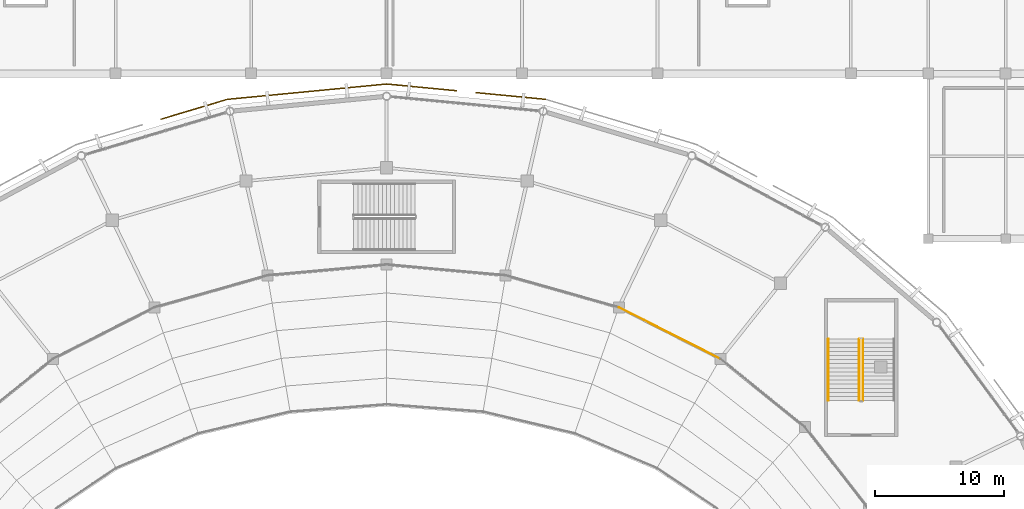
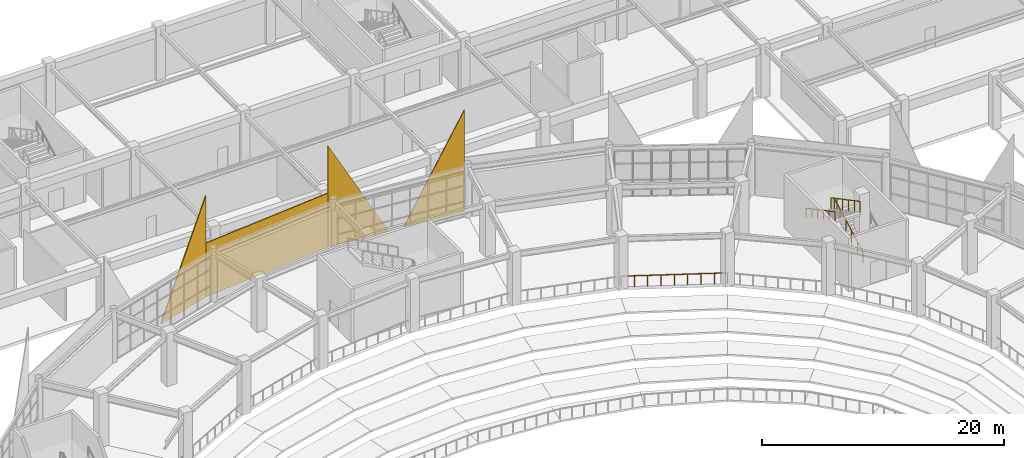
# One storey, part 110 of 120: 4 coverings, 4 railings.
"""IFC4 building model written with IfcOpenShell, lengths in metres."""

from ifc_helpers import new_model, si_unit, direction, frame, frame_2d, origin, origin_2d, place, context, subcontext, project, spatial, polyline, rectangle, circle, outline, extrude, material, layer, layer_set, type_object, element, save


model = new_model("IFC4")

# Units and contexts
model_context = context("Model", 3, precision=1e-05, world=origin(), true_north=direction((0.0, 1.0)))
body_context = subcontext(model_context, "Body", "Model", "MODEL_VIEW")
ifc_project = project(units=[si_unit("LENGTHUNIT", "METRE"), si_unit("AREAUNIT", "SQUARE_METRE"), si_unit("VOLUMEUNIT", "CUBIC_METRE"), si_unit("PLANEANGLEUNIT", "RADIAN"), si_unit("MASSUNIT", "GRAM", prefix="KILO")], contexts=[model_context])

# Site, building, storey
site_placement = place(None, origin())
site = spatial("IfcSite", under=ifc_project, at=site_placement, CompositionType="ELEMENT")
building_placement = place(site_placement, origin())
building = spatial("IfcBuilding", under=site, at=building_placement, Name="Cuetzalor Civic Arena", CompositionType="ELEMENT")
storey_placement = place(building_placement, frame((0.0, 0.0, 6.0)))
storey = spatial("IfcBuildingStorey", under=building, at=storey_placement, Name="L01", CompositionType="ELEMENT", Elevation=6.0)

# Railings
ifc_material_1 = material(Name="Reseda-green Steel S355 and laminated glass guard", Category="steel")
railing_type_1 = type_object("IfcRailingType", Name="BowlSightlineGuard_1100", PredefinedType="BALUSTRADE", material=ifc_material_1)
railing_1_placement = place(storey_placement, frame((25.874755859375, 26.19140625, 0.0)))
element("IfcRailing", 1, at=railing_1_placement, inside=storey, type_object=railing_type_1, Name="Lower Bowl Concourse Rim Balustrade S05", PredefinedType="BALUSTRADE", context=body_context, shape_type="SweptSolid", body=[
    extrude(circle(Radius=0.02392578125, at=origin_2d()), frame((0.0, 0.0, 1.076171875), z_axis=(-0.891833390372, 0.452364016935, 0.0), x_axis=(-0.452364016935, -0.891833390372, 0.0)), (0.0, 0.0, 1.0), 8.822998046875),
    extrude(circle(Radius=0.02099609375, at=origin_2d()), origin(), (0.0, 0.0, 1.0), 1.052001953125),
    extrude(circle(Radius=0.02099609375, at=origin_2d()), frame((-0.983642578125, 0.4990234375, 0.0)), (0.0, 0.0, 1.0), 1.052001953125),
    extrude(circle(Radius=0.02099609375, at=origin_2d()), frame((-1.96728515625, 0.997802734375, 0.0)), (0.0, 0.0, 1.0), 1.052001953125),
    extrude(circle(Radius=0.02099609375, at=origin_2d()), frame((-2.95068359375, 1.49658203125, 0.0)), (0.0, 0.0, 1.0), 1.052001953125),
    extrude(circle(Radius=0.02099609375, at=origin_2d()), frame((-3.934326171875, 1.99560546875, 0.0)), (0.0, 0.0, 1.0), 1.052001953125),
    extrude(circle(Radius=0.02099609375, at=origin_2d()), frame((-4.91796875, 2.49462890625, 0.0)), (0.0, 0.0, 1.0), 1.052001953125),
    extrude(circle(Radius=0.02099609375, at=origin_2d()), frame((-5.9013671875, 2.993408203125, 0.0)), (0.0, 0.0, 1.0), 1.052001953125),
    extrude(circle(Radius=0.02099609375, at=origin_2d()), frame((-6.885009765625, 3.4921875, 0.0)), (0.0, 0.0, 1.0), 1.052001953125),
    extrude(circle(Radius=0.02099609375, at=origin_2d()), frame((-7.86865234375, 3.9912109375, 0.0)), (0.0, 0.0, 1.0), 1.052001953125),
])
ifc_material_2 = material(Name="Reseda-green architectural Steel S355 balustrade", Category="steel")
railing_type_2 = type_object("IfcRailingType", Name="InteriorVoidBalustrade_1100", PredefinedType="BALUSTRADE", material=ifc_material_2)
railing_2_placement = place(storey_placement, frame((36.949951171875, 22.949951171875, 0.168701171875)))
element("IfcRailing", 2, at=railing_2_placement, inside=storey, type_object=railing_type_2, Name="L01 ST-02 stair guard 1", PredefinedType="BALUSTRADE", context=body_context, shape_type="SweptSolid", body=[
    extrude(circle(Radius=0.02392578125, at=origin_2d()), frame((0.0, 0.0, 1.0810546875), z_axis=(0.0, 0.883332211103, 0.468747485143), x_axis=(-1.0, 0.0, 0.0)), (0.0, 0.0, 1.0), 5.400146484375),
    extrude(circle(Radius=0.02099609375, at=origin_2d()), origin(), (0.0, 0.0, 1.0), 1.056884765625),
    extrude(circle(Radius=0.02099609375, at=origin_2d()), frame((0.0, 0.9541015625, 0.50634765625)), (0.0, 0.0, 1.0), 1.056884765625),
    extrude(circle(Radius=0.02099609375, at=origin_2d()), frame((0.0, 1.907958984375, 1.012451171875)), (0.0, 0.0, 1.0), 1.056884765625),
    extrude(circle(Radius=0.02099609375, at=origin_2d()), frame((0.0, 2.862060546875, 1.518798828125)), (0.0, 0.0, 1.0), 1.056884765625),
    extrude(circle(Radius=0.02099609375, at=origin_2d()), frame((0.0, 3.81591796875, 2.02490234375)), (0.0, 0.0, 1.0), 1.056884765625),
    extrude(circle(Radius=0.02099609375, at=origin_2d()), frame((0.0, 4.77001953125, 2.53125)), (0.0, 0.0, 1.0), 1.056884765625),
])
railing_3_placement = place(storey_placement, frame((36.64990234375, 27.719970703125, 2.86865234375)))
element("IfcRailing", 3, at=railing_3_placement, inside=storey, type_object=railing_type_2, Name="L01 ST-02 stair guard 3", PredefinedType="BALUSTRADE", context=body_context, shape_type="SweptSolid", body=[
    extrude(circle(Radius=0.02392578125, at=origin_2d()), frame((0.0, 0.0, 1.0810546875), z_axis=(0.0, -0.883332211103, 0.468747485143), x_axis=(1.0, 0.0, 0.0)), (0.0, 0.0, 1.0), 5.400146484375),
    extrude(circle(Radius=0.02099609375, at=origin_2d()), origin(), (0.0, 0.0, 1.0), 1.056884765625),
    extrude(circle(Radius=0.02099609375, at=origin_2d()), frame((0.0, -0.9541015625, 0.50634765625)), (0.0, 0.0, 1.0), 1.056884765625),
    extrude(circle(Radius=0.02099609375, at=origin_2d()), frame((0.0, -1.907958984375, 1.012451171875)), (0.0, 0.0, 1.0), 1.056884765625),
    extrude(circle(Radius=0.02099609375, at=origin_2d()), frame((0.0, -2.862060546875, 1.518798828125)), (0.0, 0.0, 1.0), 1.056884765625),
    extrude(circle(Radius=0.02099609375, at=origin_2d()), frame((0.0, -3.81591796875, 2.02490234375)), (0.0, 0.0, 1.0), 1.056884765625),
    extrude(circle(Radius=0.02099609375, at=origin_2d()), frame((0.0, -4.77001953125, 2.53125)), (0.0, 0.0, 1.0), 1.056884765625),
])
ifc_material_3 = material(Name="Galvanised steel S355", Category="steel")
railing_type_3 = type_object("IfcRailingType", Name="StairPitchHandrail_900", PredefinedType="HANDRAIL", material=ifc_material_3)
railing_4_placement = place(storey_placement, frame((34.25, 27.719970703125, 2.86865234375)))
element("IfcRailing", 4, at=railing_4_placement, inside=storey, type_object=railing_type_3, Name="L01 ST-02 stair handrail 2", PredefinedType="HANDRAIL", context=body_context, shape_type="SweptSolid", body=[
    extrude(circle(Radius=0.02392578125, at=origin_2d()), frame((0.0, 0.0, 0.8759765625), z_axis=(0.0, -0.883332211103, 0.468747485143), x_axis=(1.0, 0.0, 0.0)), (0.0, 0.0, 1.0), 5.400146484375),
    extrude(circle(Radius=0.02099609375, at=origin_2d()), origin(), (0.0, 0.0, 1.0), 0.851806640625),
    extrude(circle(Radius=0.02099609375, at=origin_2d()), frame((0.0, -0.9541015625, 0.50634765625)), (0.0, 0.0, 1.0), 0.851806640625),
    extrude(circle(Radius=0.02099609375, at=origin_2d()), frame((0.0, -1.907958984375, 1.012451171875)), (0.0, 0.0, 1.0), 0.851806640625),
    extrude(circle(Radius=0.02099609375, at=origin_2d()), frame((0.0, -2.862060546875, 1.518798828125)), (0.0, 0.0, 1.0), 0.851806640625),
    extrude(circle(Radius=0.02099609375, at=origin_2d()), frame((0.0, -3.81591796875, 2.02490234375)), (0.0, 0.0, 1.0), 0.851806640625),
    extrude(circle(Radius=0.02099609375, at=origin_2d()), frame((0.0, -4.77001953125, 2.53125)), (0.0, 0.0, 1.0), 0.851806640625),
])

# Coverings
ifc_material_4 = material(Name="Terracotta-red perforated anodised aluminium panel", Category="masonry")
ifc_layer = layer(ifc_material_4, 0.080078125)
ifc_layer_set = layer_set([ifc_layer], Name="Terracotta-red perforated anodised aluminium panel")
covering_type = type_object("IfcCoveringType", Name="TerracottaPerforatedScreenPanel", PredefinedType="CLADDING", material=ifc_layer_set)
covering_1_placement = place(storey_placement, frame((0.0, 47.5, -0.14990234375), z_axis=(0.0, 0.0, 1.0), x_axis=(0.995384251372, -0.095969745864, 0.0)))
element("IfcCovering", 5, at=covering_1_placement, inside=storey, type_object=covering_type, Name="Terracotta Perforated Triangle Cheek Left S07", PredefinedType="CLADDING", context=body_context, shape_type="SweptSolid", body=[
    extrude(outline(polyline([(0.0, 0.0), (5.459228515625, 0.0), (5.459228515625, 0.139892578125), (0.0, 10.22998046875), (0.0, 0.0)])), frame((0.0, 0.0400390625, 0.0), z_axis=(0.0, -1.0, 0.0), x_axis=(1.0, 0.0, 0.0)), (0.0, 0.0, 1.0), 0.080078125),
])
covering_2_placement = place(storey_placement, frame((6.916015625, 46.8330078125, -0.14990234375), z_axis=(0.0, 0.0, 1.0), x_axis=(0.995383839462, -0.095974018039, 0.0)))
element("IfcCovering", 6, at=covering_2_placement, inside=storey, type_object=covering_type, Name="Terracotta Perforated Triangle Cheek Right S07", PredefinedType="CLADDING", context=body_context, shape_type="SweptSolid", body=[
    extrude(outline(polyline([(0.0, 0.0), (5.458984375, 0.0), (5.459228515625, 10.22998046875), (0.0, 0.139892578125), (0.0, 0.0)])), frame((0.0, 0.0400390625, 0.0), z_axis=(0.0, -1.0, 0.0), x_axis=(1.0, 0.0, 0.0)), (0.0, 0.0, 1.0), 0.080078125),
])
covering_3_placement = place(storey_placement, frame((-12.349853515625, 46.30908203125, -0.14990234375), z_axis=(0.0, 0.0, 1.0), x_axis=(0.995382637025, 0.095986488157, 0.0)))
element("IfcCovering", 7, at=covering_3_placement, inside=storey, type_object=covering_type, Name="Terracotta Perforated Drum Screen L01-S08", PredefinedType="CLADDING", context=body_context, shape_type="SweptSolid", body=[
    extrude(rectangle(XDim=12.4072265625, YDim=0.080078125, at=frame_2d((6.20361328125, 0.0))), origin(), (0.0, 0.0, 1.0), 5.429931640625),
])
covering_4_placement = place(storey_placement, frame((-17.511474609375, 44.76318359375, -0.14990234375), z_axis=(0.0, 0.0, 1.0), x_axis=(0.957958374655, 0.286907219199, 0.0)))
element("IfcCovering", 8, at=covering_4_placement, inside=storey, type_object=covering_type, Name="Terracotta Perforated Triangle Cheek Right S09", PredefinedType="CLADDING", context=body_context, shape_type="SweptSolid", body=[
    extrude(outline(polyline([(0.0, 0.0), (5.38818359375, 0.0), (5.387939453125, 10.22998046875), (0.0, 0.139892578125), (0.0, 0.0)])), frame((0.0, 0.0400390625, 0.0), z_axis=(0.0, -1.0, 0.0), x_axis=(1.0, 0.0, 0.0)), (0.0, 0.0, 1.0), 0.080078125),
])

save(model, "model.ifc")
